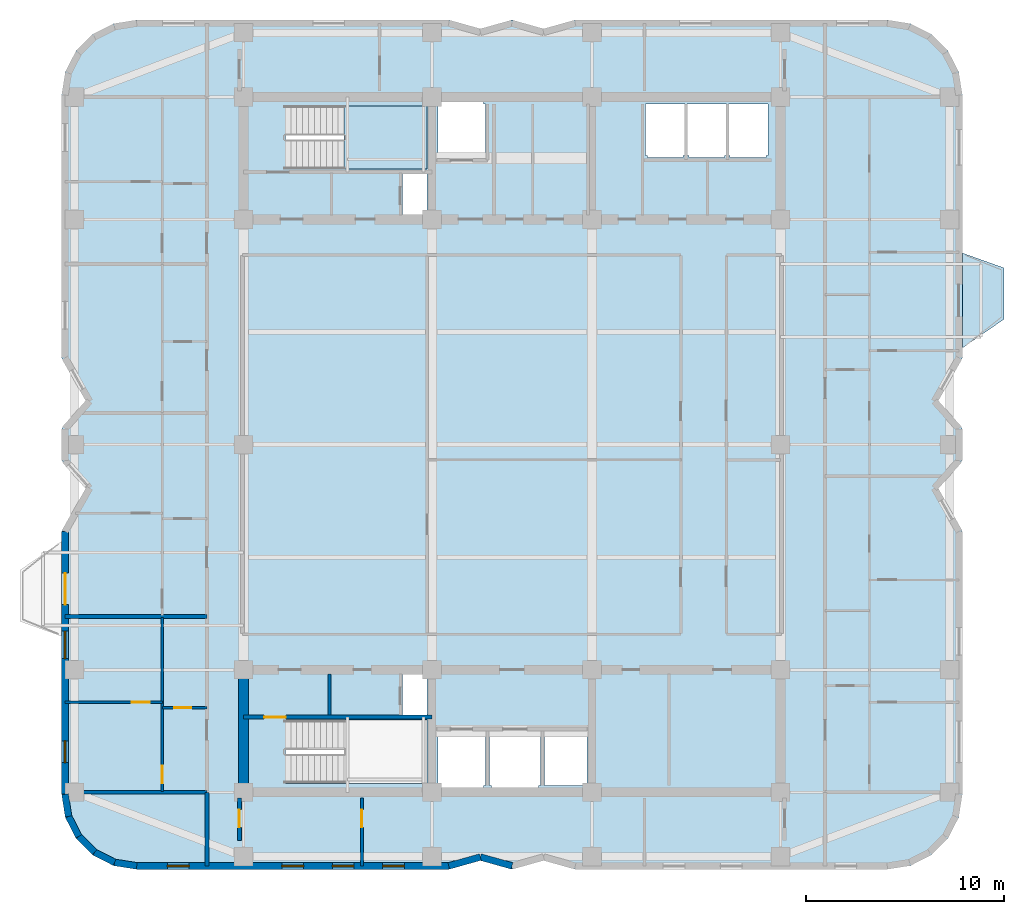
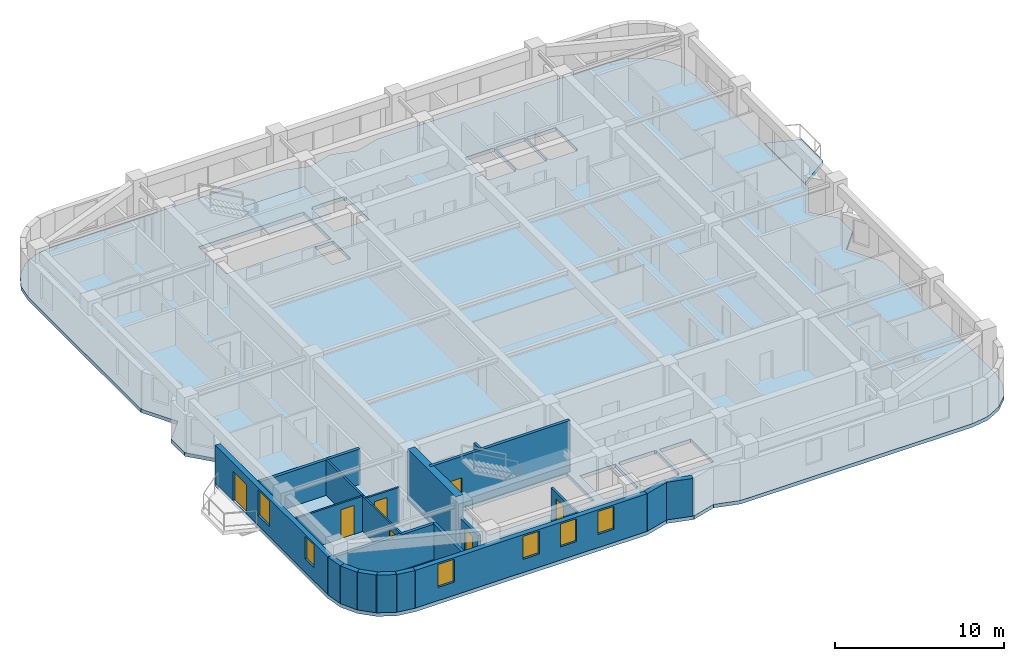
# One storey, part 2 of 9: 20 walls, 7 doors, 6 windows, 3 slabs, 13 openings, 1 element without a shape of its own.
"""IFC4 building model written with IfcOpenShell, lengths in metres."""

from ifc_helpers import new_model, si_unit, direction, frame, frame_2d, origin, place, context, subcontext, project, spatial, polyline, rectangle, outline, extrude, material, layer, layer_set, type_object, element, fill, aggregate, save


model = new_model("IFC4")

# Units and contexts
model_context = context("Model", 3, precision=1e-05, world=origin(), true_north=direction((0.0, 1.0)))
body_context = subcontext(model_context, "Body", "Model", "MODEL_VIEW")
ifc_project = project(units=[si_unit("LENGTHUNIT", "METRE"), si_unit("AREAUNIT", "SQUARE_METRE"), si_unit("VOLUMEUNIT", "CUBIC_METRE"), si_unit("PLANEANGLEUNIT", "RADIAN"), si_unit("MASSUNIT", "GRAM", prefix="KILO")], contexts=[model_context])

# Site, building, storey
site_placement = place(None, origin())
site = spatial("IfcSite", under=ifc_project, at=site_placement, CompositionType="ELEMENT")
building_placement = place(site_placement, origin())
building = spatial("IfcBuilding", under=site, at=building_placement, Name="Svetorya Sky Lyceum", CompositionType="ELEMENT")
storey_placement = place(building_placement, frame((0.0, 0.0, 173.699951171875)))
storey = spatial("IfcBuildingStorey", under=building, at=storey_placement, Name="L43", CompositionType="ELEMENT", Elevation=173.699951171875)

# Slab
ifc_material_1 = material(Name="Concrete C40/50", Category="concrete")
ifc_layer_1 = layer(ifc_material_1, 0.260009765625)
ifc_layer_set_1 = layer_set([ifc_layer_1], Name="Concrete C40/50")
slab_type_1 = type_object("IfcSlabType", Name="SL-BAL-260", PredefinedType="FLOOR", material=ifc_layer_set_1)
slab_1_placement = place(storey_placement, frame((0.0, 0.0, -0.260009765625)))
element("IfcSlab", 1, at=slab_1_placement, inside=storey, type_object=slab_type_1, Name="L43 Chamfered Loggia Balcony BAL-E1", PredefinedType="FLOOR", context=body_context, shape_type="SweptSolid", body=[
    extrude(outline(polyline([(62.010009765625, 33.10009765625), (64.110107421875, 34.550048828125), (64.110107421875, 37.14990234375), (62.010009765625, 37.89990234375), (62.010009765625, 33.10009765625)])), origin(), (0.0, 0.0, 1.0), 0.260009765625),
])

# Stair, slab
stair_type = type_object("IfcStairType", Name="STR-ST-N", PredefinedType="HALF_TURN_STAIR", material=ifc_material_1)
stair_placement = place(storey_placement, origin())
stair = element("IfcStair", 2, at=stair_placement, inside=storey, type_object=stair_type, Name="L43 North Core Smoke-Free Exit Stair N3", PredefinedType="HALF_TURN_STAIR")
ifc_layer_2 = layer(ifc_material_1, 0.199951171875)
ifc_layer_set_2 = layer_set([ifc_layer_2], Name="Concrete C40/50")
slab_type_2 = type_object("IfcSlabType", Name="SL-STR-LAND-200", PredefinedType="LANDING", material=ifc_layer_set_2)
slab_2_placement = place(storey_placement, frame((0.0, 0.0, 1.650146484375)))
slab_2 = element("IfcSlab", 3, at=slab_2_placement, type_object=slab_type_2, Name="ST-N landing 1", PredefinedType="LANDING", context=body_context, shape_type="SweptSolid", body=[
    extrude(outline(polyline([(30.699951171875, 42.14990234375), (34.89990234375, 42.14990234375), (34.89990234375, 45.35009765625), (30.699951171875, 45.35009765625), (30.699951171875, 42.14990234375)])), origin(), (0.0, 0.0, 1.0), 0.199951171875),
])
aggregate(stair, [slab_2])

# Slab
ifc_material_2 = material(Name="Concrete C50/60", Category="concrete")
ifc_layer_3 = layer(ifc_material_2, 0.260009765625)
ifc_layer_set_3 = layer_set([ifc_layer_3], Name="Concrete C50/60")
slab_type_3 = type_object("IfcSlabType", Name="SL-TWR-260", PredefinedType="FLOOR", material=ifc_layer_set_3)
slab_3_placement = place(storey_placement, frame((0.0, 0.0, -0.260009765625)))
element("IfcSlab", 4, at=slab_3_placement, inside=storey, type_object=slab_type_3, Name="L43 Structural Floor Slab", PredefinedType="FLOOR", context=body_context, shape_type="SweptSolid", body=[
    extrude(outline(polyline([(16.39990234375, 10.5), (16.5859375, 9.32568359375), (17.125732421875, 8.266357421875), (17.96630859375, 7.42578125), (19.025634765625, 6.885986328125), (20.199951171875, 6.699951171875), (36.0, 6.699951171875), (37.60009765625, 7.14990234375), (39.199951171875, 6.699951171875), (40.800048828125, 7.14990234375), (42.39990234375, 6.699951171875), (58.199951171875, 6.699951171875), (59.374267578125, 6.885986328125), (60.43359375, 7.42578125), (61.2744140625, 8.266357421875), (61.81396484375, 9.32568359375), (62.0, 10.5), (62.0, 23.800048828125), (60.75, 26.0), (62.0, 27.39990234375), (62.0, 29.0), (60.75, 30.39990234375), (62.0, 32.60009765625), (62.0, 45.89990234375), (61.81396484375, 47.07421875), (61.2744140625, 48.133544921875), (60.43359375, 48.974365234375), (59.374267578125, 49.513916015625), (58.199951171875, 49.699951171875), (42.39990234375, 49.699951171875), (40.800048828125, 49.25), (39.199951171875, 49.699951171875), (37.60009765625, 49.25), (36.0, 49.699951171875), (20.199951171875, 49.699951171875), (19.025634765625, 49.513916015625), (17.96630859375, 48.974365234375), (17.125732421875, 48.133544921875), (16.5859375, 47.07421875), (16.39990234375, 45.89990234375), (16.39990234375, 32.60009765625), (17.64990234375, 30.39990234375), (16.39990234375, 29.0), (16.39990234375, 27.39990234375), (17.64990234375, 26.0), (16.39990234375, 23.800048828125), (16.39990234375, 10.5)]), holes=[polyline([(37.85009765625, 10.949951171875), (37.75, 10.949951171875), (37.75, 10.85009765625), (35.550048828125, 10.85009765625), (35.550048828125, 10.949951171875), (35.449951171875, 10.949951171875), (35.449951171875, 13.64990234375), (35.550048828125, 13.64990234375), (37.75, 13.64990234375), (37.85009765625, 13.64990234375), (37.85009765625, 10.949951171875)]), polyline([(38.14990234375, 10.800048828125), (38.14990234375, 10.949951171875), (38.050048828125, 10.949951171875), (38.050048828125, 13.64990234375), (38.14990234375, 13.64990234375), (38.14990234375, 13.699951171875), (40.550048828125, 13.699951171875), (40.550048828125, 13.64990234375), (40.64990234375, 13.64990234375), (40.64990234375, 10.949951171875), (40.550048828125, 10.949951171875), (40.550048828125, 10.800048828125), (38.14990234375, 10.800048828125)]), polyline([(27.719970703125, 11.050048828125), (27.719970703125, 14.25), (34.89990234375, 14.25), (34.89990234375, 11.050048828125), (27.719970703125, 11.050048828125)]), polyline([(33.64990234375, 14.52001953125), (33.64990234375, 16.580078125), (34.89990234375, 16.580078125), (34.89990234375, 14.52001953125), (33.64990234375, 14.52001953125)]), polyline([(33.64990234375, 39.820068359375), (33.64990234375, 41.89990234375), (34.89990234375, 41.89990234375), (34.89990234375, 39.820068359375), (33.64990234375, 39.820068359375)]), polyline([(27.719970703125, 42.14990234375), (27.719970703125, 45.35009765625), (34.89990234375, 45.35009765625), (34.89990234375, 42.14990234375), (27.719970703125, 42.14990234375)]), polyline([(37.75, 42.75), (35.550048828125, 42.75), (35.449951171875, 42.75), (35.449951171875, 45.449951171875), (35.550048828125, 45.449951171875), (35.550048828125, 45.550048828125), (37.75, 45.550048828125), (37.75, 45.449951171875), (37.85009765625, 45.449951171875), (37.85009765625, 42.75), (37.75, 42.75)]), polyline([(40.85009765625, 10.949951171875), (40.85009765625, 13.64990234375), (43.0, 13.64990234375), (43.0, 10.949951171875), (40.85009765625, 10.949951171875)]), polyline([(46.050048828125, 42.75), (46.050048828125, 42.85009765625), (45.949951171875, 42.85009765625), (45.949951171875, 45.449951171875), (46.050048828125, 45.449951171875), (47.85009765625, 45.449951171875), (47.949951171875, 45.449951171875), (47.949951171875, 42.85009765625), (47.85009765625, 42.85009765625), (47.85009765625, 42.75), (46.050048828125, 42.75)]), polyline([(50.050048828125, 42.85009765625), (49.949951171875, 42.85009765625), (49.949951171875, 42.75), (48.14990234375, 42.75), (48.14990234375, 42.85009765625), (48.050048828125, 42.85009765625), (48.050048828125, 45.449951171875), (48.14990234375, 45.449951171875), (49.949951171875, 45.449951171875), (50.050048828125, 45.449951171875), (50.050048828125, 42.85009765625)]), polyline([(52.14990234375, 42.85009765625), (52.050048828125, 42.85009765625), (52.050048828125, 42.75), (50.25, 42.75), (50.25, 42.85009765625), (50.14990234375, 42.85009765625), (50.14990234375, 45.449951171875), (50.25, 45.449951171875), (52.050048828125, 45.449951171875), (52.14990234375, 45.449951171875), (52.14990234375, 42.85009765625)])]), origin(), (0.0, 0.0, 1.0), 0.260009765625),
])

# Walls
ifc_layer_4 = layer(ifc_material_2, 0.5)
ifc_layer_set_4 = layer_set([ifc_layer_4], Name="Concrete C50/60")
wall_type_1 = type_object("IfcWallType", Name="WL-CORE-500", PredefinedType="SHEAR", material=ifc_layer_set_4)
wall_1_placement = place(storey_placement, frame((25.60009765625, 10.85009765625, 0.0), z_axis=(0.0, 0.0, 1.0), x_axis=(0.0, 1.0, 0.0)))
element("IfcWall", 5, at=wall_1_placement, inside=storey, type_object=wall_type_1, Name="L43 SC West Core Shear Wall", PredefinedType="SHEAR", context=body_context, shape_type="SweptSolid", body=[
    extrude(rectangle(XDim=5.699951171875, YDim=0.5, at=frame_2d((2.85009765625, 0.0))), origin(), (0.0, 0.0, 1.0), 3.699951171875),
])
ifc_material_3 = material(Name="Putilovo limestone rainscreen on autoclaved cellular masonry", Category="masonry")
ifc_layer_5 = layer(ifc_material_3, 0.340087890625)
ifc_layer_set_5 = layer_set([ifc_layer_5], Name="Putilovo limestone rainscreen on autoclaved cellular masonry")
wall_type_2 = type_object("IfcWallType", Name="WL-EXT-340", PredefinedType="SOLIDWALL", material=ifc_layer_set_5)
wall_2_placement = place(storey_placement, frame((16.570068359375, 10.5, 0.0), z_axis=(0.0, 0.0, 1.0), x_axis=(0.156514556949, -0.987675651954, 0.0)))
element("IfcWall", 6, at=wall_2_placement, inside=storey, type_object=wall_type_2, Name="L43 Limestone Exterior Wall 1M", PredefinedType="SOLIDWALL", context=body_context, shape_type="SweptSolid", body=[
    extrude(rectangle(XDim=1.135498046875, YDim=0.340087890625, at=frame_2d((0.56787109375, 0.0))), origin(), (0.0, 0.0, 1.0), 2.719970703125),
])
for number, where, z_axis, x_axis, name in (
    (7, (16.747802734375, 9.37841796875, 0.0), (0.0, 0.0, 1.0), (0.45373580117, -0.891136253744, 0.0), "L43 Limestone Exterior Wall 2M"),
    (8, (17.26318359375, 8.3662109375, 0.0), (0.0, 0.0, 1.0), (0.707214252388, -0.706999293649, 0.0), "L43 Limestone Exterior Wall 3M"),
    (9, (18.06640625, 7.563232421875, 0.0), (0.0, 0.0, 1.0), (0.891005044957, -0.453993402883, 0.0), "L43 Limestone Exterior Wall 4M"),
):
    element("IfcWall", number, at=place(storey_placement, frame(where, z_axis=z_axis, x_axis=x_axis)), inside=storey, type_object=wall_type_2, Name=name, PredefinedType="SOLIDWALL", context=body_context, shape_type="SweptSolid", body=[
        extrude(rectangle(XDim=1.1357421875, YDim=0.340087890625, at=frame_2d((0.56787109375, 0.0))), origin(), (0.0, 0.0, 1.0), 2.719970703125),
    ])
wall_3_placement = place(storey_placement, frame((19.078369140625, 7.047607421875, 0.0), z_axis=(0.0, 0.0, 1.0), x_axis=(0.987708865555, -0.156304820474, 0.0)))
element("IfcWall", 10, at=wall_3_placement, inside=storey, type_object=wall_type_2, Name="L43 Limestone Exterior Wall 5M", PredefinedType="SOLIDWALL", context=body_context, shape_type="SweptSolid", body=[
    extrude(rectangle(XDim=1.135498046875, YDim=0.340087890625, at=frame_2d((0.56787109375, 0.0))), origin(), (0.0, 0.0, 1.0), 2.719970703125),
])

# Wall, openings, windows
wall_4_placement = place(storey_placement, frame((20.199951171875, 6.8701171875, 0.0), z_axis=(0.0, 0.0, 1.0), x_axis=(1.0, 0.0, 0.0)))
wall_4 = element("IfcWall", 11, at=wall_4_placement, inside=storey, type_object=wall_type_2, Name="L43 Limestone Exterior Wall 6M", PredefinedType="SOLIDWALL", context=body_context, shape_type="SweptSolid", body=[
    extrude(rectangle(XDim=15.800048828125, YDim=0.340087890625, at=frame_2d((7.89990234375, 0.0))), origin(), (0.0, 0.0, 1.0), 2.719970703125),
])
opening_1_placement = place(wall_4_placement, frame((1.550048828125, 0.0, 0.949951171875)))
opening_1 = element("IfcOpeningElement", 12, at=opening_1_placement, cuts=wall_4, Name="Opening W-R3", PredefinedType="OPENING", context=body_context, shape_type="SweptSolid", body=[
    extrude(rectangle(XDim=1.10009765625, YDim=1.64990234375, at=frame_2d((0.550048828125, 0.824951171875))), frame((0.0, 0.179931640625, 0.0), z_axis=(0.0, -1.0, 0.0), x_axis=(1.0, 0.0, 0.0)), (0.0, 0.0, 1.0), 0.360107421875),
])
opening_2_placement = place(wall_4_placement, frame((7.35009765625, 0.0, 0.949951171875)))
opening_2 = element("IfcOpeningElement", 13, at=opening_2_placement, cuts=wall_4, Name="Opening W-R3", PredefinedType="OPENING", context=body_context, shape_type="SweptSolid", body=[
    extrude(rectangle(XDim=1.10009765625, YDim=1.64990234375, at=frame_2d((0.550048828125, 0.824951171875))), frame((0.0, 0.179931640625, 0.0), z_axis=(0.0, -1.0, 0.0), x_axis=(1.0, 0.0, 0.0)), (0.0, 0.0, 1.0), 0.360107421875),
])
opening_3_placement = place(wall_4_placement, frame((9.89990234375, 0.0, 0.949951171875)))
opening_3 = element("IfcOpeningElement", 14, at=opening_3_placement, cuts=wall_4, Name="Opening W-R3", PredefinedType="OPENING", context=body_context, shape_type="SweptSolid", body=[
    extrude(rectangle(XDim=1.10009765625, YDim=1.64990234375, at=frame_2d((0.550048828125, 0.824951171875))), frame((0.0, 0.179931640625, 0.0), z_axis=(0.0, -1.0, 0.0), x_axis=(1.0, 0.0, 0.0)), (0.0, 0.0, 1.0), 0.360107421875),
])
opening_4_placement = place(wall_4_placement, frame((12.449951171875, 0.0, 0.949951171875)))
opening_4 = element("IfcOpeningElement", 15, at=opening_4_placement, cuts=wall_4, Name="Opening W-R3", PredefinedType="OPENING", context=body_context, shape_type="SweptSolid", body=[
    extrude(rectangle(XDim=1.10009765625, YDim=1.64990234375, at=frame_2d((0.550048828125, 0.824951171875))), frame((0.0, 0.179931640625, 0.0), z_axis=(0.0, -1.0, 0.0), x_axis=(1.0, 0.0, 0.0)), (0.0, 0.0, 1.0), 0.360107421875),
])
ifc_material_4 = material(Name="Thermally broken aluminium frame with triple low-E glazing", Category="aluminium")
window_type_1 = type_object("IfcWindowType", Name="WN-RES-110", PartitioningType="SINGLE_PANEL", PredefinedType="WINDOW", material=ifc_material_4)
window_1_placement = place(opening_1_placement, origin())
window_1 = element("IfcWindow", 16, at=window_1_placement, inside=storey, type_object=window_type_1, Name="L43 Facade Window W-R3.6M.1", OverallHeight=1.64990234375, OverallWidth=1.10009765625, PartitioningType="SINGLE_PANEL", PredefinedType="WINDOW", context=body_context, shape_type="SweptSolid", body=[
    extrude(rectangle(XDim=1.10009765625, YDim=1.64990234375, at=frame_2d((0.550048828125, 0.824951171875))), frame((0.0, 0.030029296875, 0.0), z_axis=(0.0, -1.0, 0.0), x_axis=(1.0, 0.0, 0.0)), (0.0, 0.0, 1.0), 0.06005859375),
])
fill(opening_1, window_1)
window_2_placement = place(opening_2_placement, origin())
window_2 = element("IfcWindow", 17, at=window_2_placement, inside=storey, type_object=window_type_1, Name="L43 Facade Window W-R3.6M.2", OverallHeight=1.64990234375, OverallWidth=1.10009765625, PartitioningType="SINGLE_PANEL", PredefinedType="WINDOW", context=body_context, shape_type="SweptSolid", body=[
    extrude(rectangle(XDim=1.10009765625, YDim=1.64990234375, at=frame_2d((0.550048828125, 0.824951171875))), frame((0.0, 0.030029296875, 0.0), z_axis=(0.0, -1.0, 0.0), x_axis=(1.0, 0.0, 0.0)), (0.0, 0.0, 1.0), 0.06005859375),
])
fill(opening_2, window_2)
window_3_placement = place(opening_3_placement, origin())
window_3 = element("IfcWindow", 18, at=window_3_placement, inside=storey, type_object=window_type_1, Name="L43 Facade Window W-R3.6M.3", OverallHeight=1.64990234375, OverallWidth=1.10009765625, PartitioningType="SINGLE_PANEL", PredefinedType="WINDOW", context=body_context, shape_type="SweptSolid", body=[
    extrude(rectangle(XDim=1.10009765625, YDim=1.64990234375, at=frame_2d((0.550048828125, 0.824951171875))), frame((0.0, 0.030029296875, 0.0), z_axis=(0.0, -1.0, 0.0), x_axis=(1.0, 0.0, 0.0)), (0.0, 0.0, 1.0), 0.06005859375),
])
fill(opening_3, window_3)
window_4_placement = place(opening_4_placement, origin())
window_4 = element("IfcWindow", 19, at=window_4_placement, inside=storey, type_object=window_type_1, Name="L43 Facade Window W-R3.6M.4", OverallHeight=1.64990234375, OverallWidth=1.10009765625, PartitioningType="SINGLE_PANEL", PredefinedType="WINDOW", context=body_context, shape_type="SweptSolid", body=[
    extrude(rectangle(XDim=1.10009765625, YDim=1.64990234375, at=frame_2d((0.550048828125, 0.824951171875))), frame((0.0, 0.030029296875, 0.0), z_axis=(0.0, -1.0, 0.0), x_axis=(1.0, 0.0, 0.0)), (0.0, 0.0, 1.0), 0.06005859375),
])
fill(opening_4, window_4)

# Walls
wall_5_placement = place(storey_placement, frame((36.0, 6.8701171875, 0.0), z_axis=(0.0, 0.0, 1.0), x_axis=(0.962662902433, 0.270703040766, 0.0)))
element("IfcWall", 20, at=wall_5_placement, inside=storey, type_object=wall_type_2, Name="L43 Limestone Exterior Wall 7M", PredefinedType="SOLIDWALL", context=body_context, shape_type="SweptSolid", body=[
    extrude(rectangle(XDim=1.662109375, YDim=0.340087890625, at=frame_2d((0.8310546875, 0.0))), origin(), (0.0, 0.0, 1.0), 2.719970703125),
])
wall_6_placement = place(storey_placement, frame((37.60009765625, 7.320068359375, 0.0), z_axis=(0.0, 0.0, 1.0), x_axis=(0.962652136636, -0.270741322725, 0.0)))
element("IfcWall", 21, at=wall_6_placement, inside=storey, type_object=wall_type_2, Name="L43 Limestone Exterior Wall 8M", PredefinedType="SOLIDWALL", context=body_context, shape_type="SweptSolid", body=[
    extrude(rectangle(XDim=1.661865234375, YDim=0.340087890625, at=frame_2d((0.8310546875, 0.0))), origin(), (0.0, 0.0, 1.0), 2.719970703125),
])

# Wall, openings, door, windows
wall_7_placement = place(storey_placement, frame((16.570068359375, 23.800048828125, 0.0), z_axis=(0.0, 0.0, 1.0), x_axis=(0.0, -1.0, 0.0)))
wall_7 = element("IfcWall", 22, at=wall_7_placement, inside=storey, type_object=wall_type_2, Name="L43 Limestone Exterior Wall 46M", PredefinedType="SOLIDWALL", context=body_context, shape_type="SweptSolid", body=[
    extrude(rectangle(XDim=13.300048828125, YDim=0.340087890625, at=frame_2d((6.64990234375, 0.0))), origin(), (0.0, 0.0, 1.0), 2.719970703125),
])
opening_5_placement = place(wall_7_placement, frame((2.10009765625, 0.0, 0.0)))
opening_5 = element("IfcOpeningElement", 23, at=opening_5_placement, cuts=wall_7, Name="Opening D-BL1", PredefinedType="OPENING", context=body_context, shape_type="SweptSolid", body=[
    extrude(rectangle(XDim=1.60009765625, YDim=2.10009765625, at=frame_2d((0.800048828125, 1.050048828125))), frame((0.0, 0.179931640625, 0.0), z_axis=(0.0, -1.0, 0.0), x_axis=(1.0, 0.0, 0.0)), (0.0, 0.0, 1.0), 0.360107421875),
])
opening_6_placement = place(wall_7_placement, frame((5.0400390625, 0.0, 0.7099609375)))
opening_6 = element("IfcOpeningElement", 24, at=opening_6_placement, cuts=wall_7, Name="Opening W-R2", PredefinedType="OPENING", context=body_context, shape_type="SweptSolid", body=[
    extrude(rectangle(XDim=1.39990234375, YDim=1.85009765625, at=frame_2d((0.699951171875, 0.925048828125))), frame((0.0, 0.179931640625, 0.0), z_axis=(0.0, -1.0, 0.0), x_axis=(1.0, 0.0, 0.0)), (0.0, 0.0, 1.0), 0.360107421875),
])
opening_7_placement = place(wall_7_placement, frame((10.60009765625, 0.0, 0.949951171875)))
opening_7 = element("IfcOpeningElement", 25, at=opening_7_placement, cuts=wall_7, Name="Opening W-R3", PredefinedType="OPENING", context=body_context, shape_type="SweptSolid", body=[
    extrude(rectangle(XDim=1.10009765625, YDim=1.64990234375, at=frame_2d((0.550048828125, 0.824951171875))), frame((0.0, 0.179931640625, 0.0), z_axis=(0.0, -1.0, 0.0), x_axis=(1.0, 0.0, 0.0)), (0.0, 0.0, 1.0), 0.360107421875),
])
ifc_material_5 = material(Name="Insulated glazed aluminium balcony door", Category="aluminium")
door_type_1 = type_object("IfcDoorType", Name="DR-BAL-1600", OperationType="DOUBLE_DOOR_SINGLE_SWING", PredefinedType="DOOR", material=ifc_material_5)
door_1_placement = place(opening_5_placement, origin())
door_1 = element("IfcDoor", 26, at=door_1_placement, inside=storey, type_object=door_type_1, Name="L43 Balcony BAL-W1 Door", OperationType="DOUBLE_DOOR_SINGLE_SWING", OverallHeight=2.10009765625, OverallWidth=1.60009765625, PredefinedType="DOOR", context=body_context, shape_type="SweptSolid", body=[
    extrude(rectangle(XDim=1.60009765625, YDim=2.10009765625, at=frame_2d((0.800048828125, 1.050048828125))), frame((0.0, 0.02490234375, 0.0), z_axis=(0.0, -1.0, 0.0), x_axis=(1.0, 0.0, 0.0)), (0.0, 0.0, 1.0), 0.050048828125),
])
fill(opening_5, door_1)
window_5_placement = place(opening_7_placement, origin())
window_5 = element("IfcWindow", 27, at=window_5_placement, inside=storey, type_object=window_type_1, Name="L43 Facade Window W-R3.46M.1", OverallHeight=1.64990234375, OverallWidth=1.10009765625, PartitioningType="SINGLE_PANEL", PredefinedType="WINDOW", context=body_context, shape_type="SweptSolid", body=[
    extrude(rectangle(XDim=1.10009765625, YDim=1.64990234375, at=frame_2d((0.550048828125, 0.824951171875))), frame((0.0, 0.030029296875, 0.0), z_axis=(0.0, -1.0, 0.0), x_axis=(1.0, 0.0, 0.0)), (0.0, 0.0, 1.0), 0.06005859375),
])
fill(opening_7, window_5)
window_type_2 = type_object("IfcWindowType", Name="WN-RES-140", PartitioningType="SINGLE_PANEL", PredefinedType="WINDOW", material=ifc_material_4)
window_6_placement = place(opening_6_placement, origin())
window_6 = element("IfcWindow", 28, at=window_6_placement, inside=storey, type_object=window_type_2, Name="L43 Facade Window W-R2.46M.2", OverallHeight=1.85009765625, OverallWidth=1.39990234375, PartitioningType="SINGLE_PANEL", PredefinedType="WINDOW", context=body_context, shape_type="SweptSolid", body=[
    extrude(rectangle(XDim=1.39990234375, YDim=1.85009765625, at=frame_2d((0.699951171875, 0.925048828125))), frame((0.0, 0.030029296875, 0.0), z_axis=(0.0, -1.0, 0.0), x_axis=(1.0, 0.0, 0.0)), (0.0, 0.0, 1.0), 0.06005859375),
])
fill(opening_6, window_6)

# Wall, opening, door
ifc_material_6 = material(Name="Twin-stud galvanized framing with double fireboard", Category="gypsum")
ifc_layer_6 = layer(ifc_material_6, 0.1201171875)
ifc_layer_set_6 = layer_set([ifc_layer_6], Name="Twin-stud galvanized framing with double fireboard")
wall_type_3 = type_object("IfcWallType", Name="WL-PART-120", PredefinedType="PARTITIONING", material=ifc_layer_set_6)
wall_8_placement = place(storey_placement, frame((21.5, 14.8701171875, 0.0), z_axis=(0.0, 0.0, 1.0), x_axis=(1.0, 0.0, 0.0)))
wall_8 = element("IfcWall", 29, at=wall_8_placement, inside=storey, type_object=wall_type_3, Name="L43 Interior Partition W1-WH1", PredefinedType="PARTITIONING", context=body_context, shape_type="SweptSolid", body=[
    extrude(rectangle(XDim=2.25, YDim=0.1201171875, at=frame_2d((1.125, 0.0))), origin(), (0.0, 0.0, 1.0), 2.550048828125),
])
opening_8_placement = place(wall_8_placement, frame((0.60009765625, 0.0, 0.0)))
opening_8 = element("IfcOpeningElement", 30, at=opening_8_placement, cuts=wall_8, Name="Opening D-BT1", PredefinedType="OPENING", context=body_context, shape_type="SweptSolid", body=[
    extrude(rectangle(XDim=0.85009765625, YDim=2.10009765625, at=frame_2d((0.425048828125, 1.050048828125))), frame((0.0, 0.070068359375, 0.0), z_axis=(0.0, -1.0, 0.0), x_axis=(1.0, 0.0, 0.0)), (0.0, 0.0, 1.0), 0.14013671875),
])
ifc_material_7 = material(Name="Moisture-resistant laminate bathroom door")
door_type_2 = type_object("IfcDoorType", Name="DR-WET-850", OperationType="SINGLE_SWING_LEFT", PredefinedType="DOOR", material=ifc_material_7)
door_2_placement = place(opening_8_placement, origin())
door_2 = element("IfcDoor", 31, at=door_2_placement, inside=storey, type_object=door_type_2, Name="Apartment W1 Bathroom Door", OperationType="SINGLE_SWING_LEFT", OverallHeight=2.10009765625, OverallWidth=0.85009765625, PredefinedType="DOOR", context=body_context, shape_type="SweptSolid", body=[
    extrude(rectangle(XDim=0.85009765625, YDim=2.10009765625, at=frame_2d((0.425048828125, 1.050048828125))), frame((0.0, 0.02490234375, 0.0), z_axis=(0.0, -1.0, 0.0), x_axis=(1.0, 0.0, 0.0)), (0.0, 0.0, 1.0), 0.050048828125),
])
fill(opening_8, door_2)

wall_9_placement = place(storey_placement, frame((16.570068359375, 15.14990234375, 0.0), z_axis=(0.0, 0.0, 1.0), x_axis=(1.0, 0.0, 0.0)))
wall_9 = element("IfcWall", 32, at=wall_9_placement, inside=storey, type_object=wall_type_3, Name="L43 Interior Partition W1-WL1", PredefinedType="PARTITIONING", context=body_context, shape_type="SweptSolid", body=[
    extrude(rectangle(XDim=4.929931640625, YDim=0.1201171875, at=frame_2d((2.46484375, 0.0))), origin(), (0.0, 0.0, 1.0), 2.550048828125),
])
opening_9_placement = place(wall_9_placement, frame((3.3798828125, 0.0, 0.0)))
opening_9 = element("IfcOpeningElement", 33, at=opening_9_placement, cuts=wall_9, Name="Opening D-RM1", PredefinedType="OPENING", context=body_context, shape_type="SweptSolid", body=[
    extrude(rectangle(XDim=0.89990234375, YDim=2.10009765625, at=frame_2d((0.449951171875, 1.050048828125))), frame((0.0, 0.070068359375, 0.0), z_axis=(0.0, -1.0, 0.0), x_axis=(1.0, 0.0, 0.0)), (0.0, 0.0, 1.0), 0.14013671875),
])
ifc_material_8 = material(Name="Lacquered birch veneer internal door")
door_type_3 = type_object("IfcDoorType", Name="DR-INT-900", OperationType="SINGLE_SWING_LEFT", PredefinedType="DOOR", material=ifc_material_8)
door_3_placement = place(opening_9_placement, origin())
door_3 = element("IfcDoor", 34, at=door_3_placement, inside=storey, type_object=door_type_3, Name="Apartment W1 Bedroom 1 Door", OperationType="SINGLE_SWING_LEFT", OverallHeight=2.10009765625, OverallWidth=0.89990234375, PredefinedType="DOOR", context=body_context, shape_type="SweptSolid", body=[
    extrude(rectangle(XDim=0.89990234375, YDim=2.10009765625, at=frame_2d((0.449951171875, 1.050048828125))), frame((0.0, 0.02490234375, 0.0), z_axis=(0.0, -1.0, 0.0), x_axis=(1.0, 0.0, 0.0)), (0.0, 0.0, 1.0), 0.050048828125),
])
fill(opening_9, door_3)

wall_10_placement = place(storey_placement, frame((21.5, 10.639892578125, 0.0), z_axis=(0.0, 0.0, 1.0), x_axis=(0.0, 1.0, 0.0)))
wall_10 = element("IfcWall", 35, at=wall_10_placement, inside=storey, type_object=wall_type_3, Name="L43 Interior Partition W1-WV", PredefinedType="PARTITIONING", context=body_context, shape_type="SweptSolid", body=[
    extrude(rectangle(XDim=8.820068359375, YDim=0.1201171875, at=frame_2d((4.41015625, 0.0))), origin(), (0.0, 0.0, 1.0), 2.550048828125),
])
opening_10_placement = place(wall_10_placement, frame((0.409912109375, 0.0, 0.0)))
opening_10 = element("IfcOpeningElement", 36, at=opening_10_placement, cuts=wall_10, Name="Opening D-RM1", PredefinedType="OPENING", context=body_context, shape_type="SweptSolid", body=[
    extrude(rectangle(XDim=0.89990234375, YDim=2.10009765625, at=frame_2d((0.449951171875, 1.050048828125))), frame((0.0, 0.070068359375, 0.0), z_axis=(0.0, -1.0, 0.0), x_axis=(1.0, 0.0, 0.0)), (0.0, 0.0, 1.0), 0.14013671875),
])
door_4_placement = place(opening_10_placement, origin())
door_4 = element("IfcDoor", 37, at=door_4_placement, inside=storey, type_object=door_type_3, Name="Apartment W1 Living Door", OperationType="SINGLE_SWING_RIGHT", OverallHeight=2.10009765625, OverallWidth=0.89990234375, PredefinedType="DOOR", context=body_context, shape_type="SweptSolid", body=[
    extrude(rectangle(XDim=0.89990234375, YDim=2.10009765625, at=frame_2d((0.449951171875, 1.050048828125))), frame((0.0, 0.02490234375, 0.0), z_axis=(0.0, -1.0, 0.0), x_axis=(1.0, 0.0, 0.0)), (0.0, 0.0, 1.0), 0.050048828125),
])
fill(opening_10, door_4)

# Wall
ifc_material_9 = material(Name="Autoclaved cellular masonry blockwork with acoustic render", Category="masonry")
ifc_layer_7 = layer(ifc_material_9, 0.14990234375)
ifc_layer_set_7 = layer_set([ifc_layer_7], Name="Autoclaved cellular masonry blockwork with acoustic render")
wall_type_4 = type_object("IfcWallType", Name="WL-PART-150", PredefinedType="PARTITIONING", material=ifc_layer_set_7)
wall_11_placement = place(storey_placement, frame((29.949951171875, 14.5, 0.0), z_axis=(0.0, 0.0, 1.0), x_axis=(0.0, 1.0, 0.0)))
element("IfcWall", 38, at=wall_11_placement, inside=storey, type_object=wall_type_4, Name="L43 Interior Partition SC-SWD1", PredefinedType="PARTITIONING", context=body_context, shape_type="SweptSolid", body=[
    extrude(rectangle(XDim=2.080078125, YDim=0.14990234375, at=frame_2d((1.0400390625, 0.0))), origin(), (0.0, 0.0, 1.0), 2.550048828125),
])

# Wall, opening, door
wall_12_placement = place(storey_placement, frame((31.60009765625, 6.8701171875, 0.0), z_axis=(0.0, 0.0, 1.0), x_axis=(0.0, 1.0, 0.0)))
wall_12 = element("IfcWall", 39, at=wall_12_placement, inside=storey, type_object=wall_type_4, Name="L43 Interior Partition S-D1", PredefinedType="PARTITIONING", context=body_context, shape_type="SweptSolid", body=[
    extrude(rectangle(XDim=3.429931640625, YDim=0.14990234375, at=frame_2d((1.71484375, 0.0))), origin(), (0.0, 0.0, 1.0), 2.550048828125),
])
opening_11_placement = place(wall_12_placement, frame((1.949951171875, 0.0, 0.0)))
opening_11 = element("IfcOpeningElement", 40, at=opening_11_placement, cuts=wall_12, Name="Opening D-RM1", PredefinedType="OPENING", context=body_context, shape_type="SweptSolid", body=[
    extrude(rectangle(XDim=0.89990234375, YDim=2.10009765625, at=frame_2d((0.449951171875, 1.050048828125))), frame((0.0, 0.0849609375, 0.0), z_axis=(0.0, -1.0, 0.0), x_axis=(1.0, 0.0, 0.0)), (0.0, 0.0, 1.0), 0.169921875),
])
door_5_placement = place(opening_11_placement, origin())
door_5 = element("IfcDoor", 41, at=door_5_placement, inside=storey, type_object=door_type_3, Name="L43 South Store Door", OperationType="SINGLE_SWING_LEFT", OverallHeight=2.10009765625, OverallWidth=0.89990234375, PredefinedType="DOOR", context=body_context, shape_type="SweptSolid", body=[
    extrude(rectangle(XDim=0.89990234375, YDim=2.10009765625, at=frame_2d((0.449951171875, 1.050048828125))), frame((0.0, 0.02490234375, 0.0), z_axis=(0.0, -1.0, 0.0), x_axis=(1.0, 0.0, 0.0)), (0.0, 0.0, 1.0), 0.050048828125),
])
fill(opening_11, door_5)

# Walls
ifc_material_10 = material(Name="Autoclaved cellular masonry blockwork with gypsum plaster", Category="masonry")
ifc_layer_8 = layer(ifc_material_10, 0.199951171875)
ifc_layer_set_8 = layer_set([ifc_layer_8], Name="Autoclaved cellular masonry blockwork with gypsum plaster")
wall_type_5 = type_object("IfcWallType", Name="WL-PART-200", PredefinedType="PARTITIONING", material=ifc_layer_set_8)
wall_13_placement = place(storey_placement, frame((16.570068359375, 19.5, 0.0), z_axis=(0.0, 0.0, 1.0), x_axis=(1.0, 0.0, 0.0)))
element("IfcWall", 42, at=wall_13_placement, inside=storey, type_object=wall_type_5, Name="L43 Interior Partition W-PARTY-1", PredefinedType="PARTITIONING", context=body_context, shape_type="SweptSolid", body=[
    extrude(rectangle(XDim=7.179931640625, YDim=0.199951171875, at=frame_2d((3.58984375, 0.0))), origin(), (0.0, 0.0, 1.0), 2.550048828125),
])
wall_14_placement = place(storey_placement, frame((16.989990234375, 10.60009765625, 0.0), z_axis=(0.0, 0.0, 1.0), x_axis=(1.0, 0.0, 0.0)))
element("IfcWall", 43, at=wall_14_placement, inside=storey, type_object=wall_type_5, Name="L43 Interior Partition W-CAP-S", PredefinedType="PARTITIONING", context=body_context, shape_type="SweptSolid", body=[
    extrude(rectangle(XDim=6.760009765625, YDim=0.199951171875, at=frame_2d((3.3798828125, 0.0))), origin(), (0.0, 0.0, 1.0), 2.550048828125),
])
wall_15_placement = place(storey_placement, frame((23.75, 6.8701171875, 0.0), z_axis=(0.0, 0.0, 1.0), x_axis=(0.0, 1.0, 0.0)))
element("IfcWall", 44, at=wall_15_placement, inside=storey, type_object=wall_type_5, Name="L43 Interior Partition WC-SW-END", PredefinedType="PARTITIONING", context=body_context, shape_type="SweptSolid", body=[
    extrude(rectangle(XDim=3.72998046875, YDim=0.199951171875, at=frame_2d((1.864990234375, 0.0))), origin(), (0.0, 0.0, 1.0), 2.550048828125),
])

# Wall, opening, door
wall_16_placement = place(storey_placement, frame((25.39990234375, 8.169921875, 0.0), z_axis=(0.0, 0.0, 1.0), x_axis=(0.0, 1.0, 0.0)))
wall_16 = element("IfcWall", 45, at=wall_16_placement, inside=storey, type_object=wall_type_5, Name="L43 Interior Partition S-EW", PredefinedType="PARTITIONING", context=body_context, shape_type="SweptSolid", body=[
    extrude(rectangle(XDim=2.130126953125, YDim=0.199951171875, at=frame_2d((1.06494140625, 0.0))), origin(), (0.0, 0.0, 1.0), 2.550048828125),
])
opening_12_placement = place(wall_16_placement, frame((0.64990234375, 0.0, 0.0)))
opening_12 = element("IfcOpeningElement", 46, at=opening_12_placement, cuts=wall_16, Name="Opening D-RM1", PredefinedType="OPENING", context=body_context, shape_type="SweptSolid", body=[
    extrude(rectangle(XDim=0.89990234375, YDim=2.10009765625, at=frame_2d((0.449951171875, 1.050048828125))), frame((0.0, 0.10986328125, 0.0), z_axis=(0.0, -1.0, 0.0), x_axis=(1.0, 0.0, 0.0)), (0.0, 0.0, 1.0), 0.219970703125),
])
door_6_placement = place(opening_12_placement, origin())
door_6 = element("IfcDoor", 47, at=door_6_placement, inside=storey, type_object=door_type_3, Name="L43 South Study Door", OperationType="SINGLE_SWING_LEFT", OverallHeight=2.10009765625, OverallWidth=0.89990234375, PredefinedType="DOOR", context=body_context, shape_type="SweptSolid", body=[
    extrude(rectangle(XDim=0.89990234375, YDim=2.10009765625, at=frame_2d((0.449951171875, 1.050048828125))), frame((0.0, 0.02490234375, 0.0), z_axis=(0.0, -1.0, 0.0), x_axis=(1.0, 0.0, 0.0)), (0.0, 0.0, 1.0), 0.050048828125),
])
fill(opening_12, door_6)

ifc_layer_9 = layer(ifc_material_2, 0.199951171875)
ifc_layer_set_9 = layer_set([ifc_layer_9], Name="Concrete C50/60")
wall_type_6 = type_object("IfcWallType", Name="WL-SHW-200", PredefinedType="SHEAR", material=ifc_layer_set_9)
wall_17_placement = place(storey_placement, frame((25.60009765625, 14.39990234375, 0.0), z_axis=(0.0, 0.0, 1.0), x_axis=(1.0, 0.0, 0.0)))
wall_17 = element("IfcWall", 48, at=wall_17_placement, inside=storey, type_object=wall_type_6, Name="L43 Structural Stair Shaft Wall SC-STW", PredefinedType="SHEAR", context=body_context, shape_type="SweptSolid", body=[
    extrude(rectangle(XDim=9.5498046875, YDim=0.199951171875, at=frame_2d((4.77490234375, 0.0))), origin(), (0.0, 0.0, 1.0), 3.699951171875),
])
opening_13_placement = place(wall_17_placement, frame((1.050048828125, 0.0, 0.0)))
opening_13 = element("IfcOpeningElement", 49, at=opening_13_placement, cuts=wall_17, Name="Opening D-ST1", PredefinedType="OPENING", context=body_context, shape_type="SweptSolid", body=[
    extrude(rectangle(XDim=1.10009765625, YDim=2.14990234375, at=frame_2d((0.550048828125, 1.074951171875))), frame((0.0, 0.10986328125, 0.0), z_axis=(0.0, -1.0, 0.0), x_axis=(1.0, 0.0, 0.0)), (0.0, 0.0, 1.0), 0.219970703125),
])
ifc_material_11 = material(Name="Powder-coated insulated galvanized stair fire door")
door_type_4 = type_object("IfcDoorType", Name="DR-FIRE-1100", OperationType="SINGLE_SWING_LEFT", PredefinedType="DOOR", material=ifc_material_11)
door_7_placement = place(opening_13_placement, origin())
door_7 = element("IfcDoor", 50, at=door_7_placement, inside=storey, type_object=door_type_4, Name="L43 Stair ST-S Vestibule Fire Door", OperationType="SINGLE_SWING_LEFT", OverallHeight=2.14990234375, OverallWidth=1.10009765625, PredefinedType="DOOR", context=body_context, shape_type="SweptSolid", body=[
    extrude(rectangle(XDim=1.10009765625, YDim=2.14990234375, at=frame_2d((0.550048828125, 1.074951171875))), frame((0.0, 0.02490234375, 0.0), z_axis=(0.0, -1.0, 0.0), x_axis=(1.0, 0.0, 0.0)), (0.0, 0.0, 1.0), 0.050048828125),
])
fill(opening_13, door_7)

save(model, "model.ifc")
